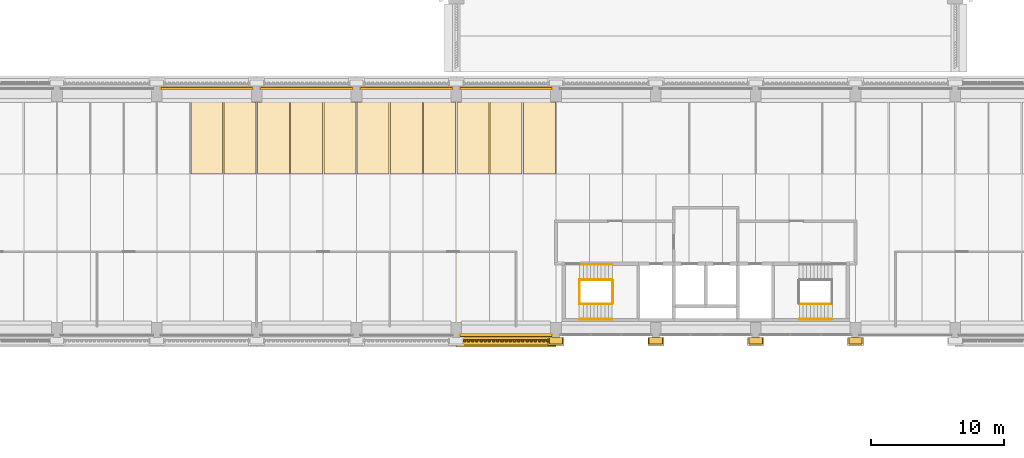
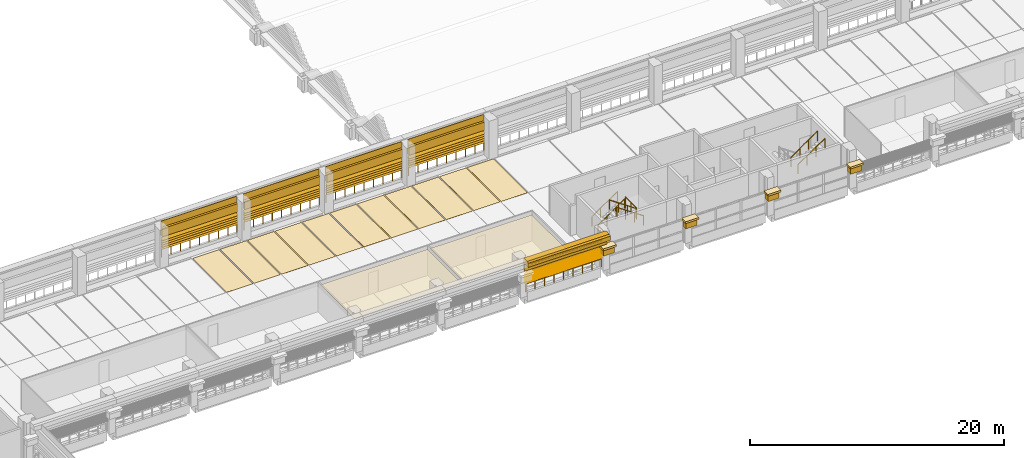
# One storey, part 44 of 71: 28 coverings, 25 shading devices, 13 railings.
"""IFC4 building model written with IfcOpenShell, lengths in metres."""

from ifc_helpers import new_model, si_unit, direction, frame, origin, origin_2d, place, context, subcontext, project, spatial, polyline, circle, outline, extrude, material, layer, layer_set, type_object, element, save


model = new_model("IFC4")

# Units and contexts
model_context = context("Model", 3, precision=1e-05, world=origin(), true_north=direction((0.0, 1.0)))
body_context = subcontext(model_context, "Body", "Model", "MODEL_VIEW")
ifc_project = project(units=[si_unit("LENGTHUNIT", "METRE"), si_unit("AREAUNIT", "SQUARE_METRE"), si_unit("VOLUMEUNIT", "CUBIC_METRE"), si_unit("PLANEANGLEUNIT", "RADIAN"), si_unit("MASSUNIT", "GRAM", prefix="KILO")], contexts=[model_context])

# Site, building, storey
site_placement = place(None, origin())
site = spatial("IfcSite", under=ifc_project, at=site_placement, CompositionType="ELEMENT")
building_placement = place(site_placement, origin())
building = spatial("IfcBuilding", under=site, at=building_placement, Name="Cour d'Honneur Mobility Palace", CompositionType="ELEMENT")
storey_placement = place(building_placement, frame((0.0, 0.0, 15.60009765625)))
storey = spatial("IfcBuildingStorey", under=building, at=storey_placement, Name="L04", CompositionType="ELEMENT", Elevation=15.60009765625)

# Railings
ifc_material_1 = material(Name="Painted steel", Category="steel")
railing_type_1 = type_object("IfcRailingType", Name="Balustrade", PredefinedType="BALUSTRADE", material=ifc_material_1)
railing_1_placement = place(storey_placement, frame((62.699951171875, 44.449951171875, 0.2998046875)))
element("IfcRailing", 1, at=railing_1_placement, inside=storey, type_object=railing_type_1, Name="Balustrade BAL-210", PredefinedType="BALUSTRADE", context=body_context, shape_type="SweptSolid", body=[
    extrude(circle(Radius=0.02392578125, at=origin_2d()), frame((0.0, 0.0, 0.77587890625), z_axis=(1.0, 0.0, 0.0), x_axis=(0.0, 1.0, 0.0)), (0.0, 0.0, 1.0), 6.900146484375),
    extrude(circle(Radius=0.02099609375, at=origin_2d()), origin(), (0.0, 0.0, 1.0), 0.751953125),
    extrude(circle(Radius=0.02099609375, at=origin_2d()), frame((0.862548828125, 0.0, 0.0)), (0.0, 0.0, 1.0), 0.751953125),
    extrude(circle(Radius=0.02099609375, at=origin_2d()), frame((1.72509765625, 0.0, 0.0)), (0.0, 0.0, 1.0), 0.751953125),
    extrude(circle(Radius=0.02099609375, at=origin_2d()), frame((2.587646484375, 0.0, 0.0)), (0.0, 0.0, 1.0), 0.751953125),
    extrude(circle(Radius=0.02099609375, at=origin_2d()), frame((3.4501953125, 0.0, 0.0)), (0.0, 0.0, 1.0), 0.751953125),
    extrude(circle(Radius=0.02099609375, at=origin_2d()), frame((4.3125, 0.0, 0.0)), (0.0, 0.0, 1.0), 0.751953125),
    extrude(circle(Radius=0.02099609375, at=origin_2d()), frame((5.175048828125, 0.0, 0.0)), (0.0, 0.0, 1.0), 0.751953125),
    extrude(circle(Radius=0.02099609375, at=origin_2d()), frame((6.03759765625, 0.0, 0.0)), (0.0, 0.0, 1.0), 0.751953125),
    extrude(circle(Radius=0.02099609375, at=origin_2d()), frame((6.900146484375, 0.0, 0.0)), (0.0, 0.0, 1.0), 0.751953125),
])
for number, where, name in (
    (2, (69.60009765625, 62.949951171875, 0.2998046875), "Balustrade BAL-245"),
    (3, (62.10009765625, 62.949951171875, 0.2998046875), "Balustrade BAL-246"),
    (4, (54.60009765625, 62.949951171875, 0.2998046875), "Balustrade BAL-247"),
    (5, (47.10009765625, 62.949951171875, 0.2998046875), "Balustrade BAL-248"),
):
    element("IfcRailing", number, at=place(storey_placement, frame(where)), inside=storey, type_object=railing_type_1, Name=name, PredefinedType="BALUSTRADE", context=body_context, shape_type="SweptSolid", body=[
        extrude(circle(Radius=0.02392578125, at=origin_2d()), frame((0.0, 0.0, 0.77587890625), z_axis=(-1.0, 0.0, 0.0), x_axis=(0.0, -1.0, 0.0)), (0.0, 0.0, 1.0), 6.900146484375),
        extrude(circle(Radius=0.02099609375, at=origin_2d()), origin(), (0.0, 0.0, 1.0), 0.751953125),
        extrude(circle(Radius=0.02099609375, at=origin_2d()), frame((-0.862548828125, 0.0, 0.0)), (0.0, 0.0, 1.0), 0.751953125),
        extrude(circle(Radius=0.02099609375, at=origin_2d()), frame((-1.72509765625, 0.0, 0.0)), (0.0, 0.0, 1.0), 0.751953125),
        extrude(circle(Radius=0.02099609375, at=origin_2d()), frame((-2.587646484375, 0.0, 0.0)), (0.0, 0.0, 1.0), 0.751953125),
        extrude(circle(Radius=0.02099609375, at=origin_2d()), frame((-3.4501953125, 0.0, 0.0)), (0.0, 0.0, 1.0), 0.751953125),
        extrude(circle(Radius=0.02099609375, at=origin_2d()), frame((-4.3125, 0.0, 0.0)), (0.0, 0.0, 1.0), 0.751953125),
        extrude(circle(Radius=0.02099609375, at=origin_2d()), frame((-5.175048828125, 0.0, 0.0)), (0.0, 0.0, 1.0), 0.751953125),
        extrude(circle(Radius=0.02099609375, at=origin_2d()), frame((-6.03759765625, 0.0, 0.0)), (0.0, 0.0, 1.0), 0.751953125),
        extrude(circle(Radius=0.02099609375, at=origin_2d()), frame((-6.900146484375, 0.0, 0.0)), (0.0, 0.0, 1.0), 0.751953125),
    ])

# Coverings
ifc_material_2 = material(Name="Cast limestone", Category="masonry")
ifc_layer_1 = layer(ifc_material_2, 0.14990234375)
ifc_layer_set_1 = layer_set([ifc_layer_1], Name="Cast limestone")
covering_type_1 = type_object("IfcCoveringType", Name="Dentil course", PredefinedType="CLADDING", material=ifc_layer_set_1)
covering_1_placement = place(storey_placement, frame((0.0, 0.0, 3.14990234375)))
element("IfcCovering", 6, at=covering_1_placement, inside=storey, type_object=covering_type_1, Name="Dentil course DC-76", PredefinedType="CLADDING", context=body_context, shape_type="SweptSolid", body=[
    extrude(outline(polyline([(62.85009765625, 44.10009765625), (69.449951171875, 44.10009765625), (69.449951171875, 44.070068359375), (69.449951171875, 44.070068359375), (69.371337890625, 44.070068359375), (69.371337890625, 43.949951171875), (69.21435546875, 43.949951171875), (69.21435546875, 44.070068359375), (69.1357421875, 44.070068359375), (69.1357421875, 44.070068359375), (69.05712890625, 44.070068359375), (69.05712890625, 43.949951171875), (68.89990234375, 43.949951171875), (68.89990234375, 44.070068359375), (68.821533203125, 44.070068359375), (68.821533203125, 44.070068359375), (68.742919921875, 44.070068359375), (68.742919921875, 43.949951171875), (68.585693359375, 43.949951171875), (68.585693359375, 44.070068359375), (68.507080078125, 44.070068359375), (68.507080078125, 44.070068359375), (68.428466796875, 44.070068359375), (68.428466796875, 43.949951171875), (68.271484375, 43.949951171875), (68.271484375, 44.070068359375), (68.19287109375, 44.070068359375), (68.19287109375, 44.070068359375), (68.1142578125, 44.070068359375), (68.1142578125, 43.949951171875), (67.95703125, 43.949951171875), (67.95703125, 44.070068359375), (67.878662109375, 44.070068359375), (67.878662109375, 44.070068359375), (67.800048828125, 44.070068359375), (67.800048828125, 43.949951171875), (67.642822265625, 43.949951171875), (67.642822265625, 44.070068359375), (67.564208984375, 44.070068359375), (67.564208984375, 44.070068359375), (67.485595703125, 44.070068359375), (67.485595703125, 43.949951171875), (67.32861328125, 43.949951171875), (67.32861328125, 44.070068359375), (67.25, 44.070068359375), (67.25, 44.070068359375), (67.17138671875, 44.070068359375), (67.17138671875, 43.949951171875), (67.014404296875, 43.949951171875), (67.014404296875, 44.070068359375), (66.935791015625, 44.070068359375), (66.935791015625, 44.070068359375), (66.857177734375, 44.070068359375), (66.857177734375, 43.949951171875), (66.699951171875, 43.949951171875), (66.699951171875, 44.070068359375), (66.621337890625, 44.070068359375), (66.621337890625, 44.070068359375), (66.54296875, 44.070068359375), (66.54296875, 43.949951171875), (66.3857421875, 43.949951171875), (66.3857421875, 44.070068359375), (66.30712890625, 44.070068359375), (66.30712890625, 44.070068359375), (66.228515625, 44.070068359375), (66.228515625, 43.949951171875), (66.071533203125, 43.949951171875), (66.071533203125, 44.070068359375), (65.992919921875, 44.070068359375), (65.992919921875, 44.070068359375), (65.914306640625, 44.070068359375), (65.914306640625, 43.949951171875), (65.757080078125, 43.949951171875), (65.757080078125, 44.070068359375), (65.678466796875, 44.070068359375), (65.678466796875, 44.070068359375), (65.60009765625, 44.070068359375), (65.60009765625, 43.949951171875), (65.44287109375, 43.949951171875), (65.44287109375, 44.070068359375), (65.3642578125, 44.070068359375), (65.3642578125, 44.070068359375), (65.28564453125, 44.070068359375), (65.28564453125, 43.949951171875), (65.128662109375, 43.949951171875), (65.128662109375, 44.070068359375), (65.050048828125, 44.070068359375), (65.050048828125, 44.070068359375), (64.971435546875, 44.070068359375), (64.971435546875, 43.949951171875), (64.814208984375, 43.949951171875), (64.814208984375, 44.070068359375), (64.735595703125, 44.070068359375), (64.735595703125, 44.070068359375), (64.6572265625, 44.070068359375), (64.6572265625, 43.949951171875), (64.5, 43.949951171875), (64.5, 44.070068359375), (64.42138671875, 44.070068359375), (64.42138671875, 44.070068359375), (64.3427734375, 44.070068359375), (64.3427734375, 43.949951171875), (64.185791015625, 43.949951171875), (64.185791015625, 44.070068359375), (64.107177734375, 44.070068359375), (64.107177734375, 44.070068359375), (64.028564453125, 44.070068359375), (64.028564453125, 43.949951171875), (63.871337890625, 43.949951171875), (63.871337890625, 44.070068359375), (63.79296875, 44.070068359375), (63.79296875, 44.070068359375), (63.71435546875, 44.070068359375), (63.71435546875, 43.949951171875), (63.55712890625, 43.949951171875), (63.55712890625, 44.070068359375), (63.478515625, 44.070068359375), (63.478515625, 44.070068359375), (63.39990234375, 44.070068359375), (63.39990234375, 43.949951171875), (63.242919921875, 43.949951171875), (63.242919921875, 44.070068359375), (63.164306640625, 44.070068359375), (63.164306640625, 44.070068359375), (63.085693359375, 44.070068359375), (63.085693359375, 43.949951171875), (62.928466796875, 43.949951171875), (62.928466796875, 44.070068359375), (62.85009765625, 44.070068359375), (62.85009765625, 44.10009765625)])), origin(), (0.0, 0.0, 1.0), 0.14990234375),
])
ifc_material_3 = material(Name="Cast limestone", Category="masonry")
ifc_layer_2 = layer(ifc_material_3, 0.699951171875)
ifc_layer_set_2 = layer_set([ifc_layer_2], Name="Cast limestone")
covering_type_2 = type_object("IfcCoveringType", Name="Entablature", PredefinedType="CLADDING", material=ifc_layer_set_2)
covering_2_placement = place(storey_placement, frame((62.39990234375, 44.25, 2.599853515625), z_axis=(-1.0, 0.0, 0.0), x_axis=(0.0, -1.0, 0.0)))
element("IfcCovering", 7, at=covering_2_placement, inside=storey, type_object=covering_type_2, Name="Entablature EN-76", PredefinedType="CLADDING", context=body_context, shape_type="SweptSolid", body=[
    extrude(outline(polyline([(0.0, 0.0), (0.14990234375, 0.0), (0.14990234375, 0.699951171875), (0.699951171875, 0.699951171875), (0.699951171875, 1.10009765625), (0.550048828125, 1.199951171875), (0.0, 1.199951171875), (0.0, 0.0)])), origin(), (0.0, 0.0, -1.0), 7.5),
])

# Railings
ifc_material_4 = material(Name="Painted steel", Category="steel")
railing_type_2 = type_object("IfcRailingType", Name="Guardrail 1100", PredefinedType="GUARDRAIL", material=ifc_material_4)
for number, where, name in (
    (8, (71.655029296875, 46.824951171875, 0.0), "Guard ST-CC1"),
    (9, (74.1650390625, 46.824951171875, 1.849853515625), "Landing guard ST-CC1"),
):
    element("IfcRailing", number, at=place(storey_placement, frame(where)), inside=storey, type_object=railing_type_2, Name=name, PredefinedType="GUARDRAIL", context=body_context, shape_type="SweptSolid", body=[
        extrude(circle(Radius=0.02490234375, at=origin_2d()), frame((0.0, 0.0, 1.0751953125), z_axis=(0.0, 1.0, 0.0), x_axis=(-1.0, 0.0, 0.0)), (0.0, 0.0, 1.0), 1.72509765625),
        extrude(circle(Radius=0.02099609375, at=origin_2d()), origin(), (0.0, 0.0, 1.0), 1.050048828125),
        extrude(circle(Radius=0.02099609375, at=origin_2d()), frame((0.0, 0.862548828125, 0.0)), (0.0, 0.0, 1.0), 1.050048828125),
        extrude(circle(Radius=0.02099609375, at=origin_2d()), frame((0.0, 1.72509765625, 0.0)), (0.0, 0.0, 1.0), 1.050048828125),
    ])
ifc_material_5 = material(Name="Stainless steel", Category="steel")
railing_type_3 = type_object("IfcRailingType", Name="Handrail round 50", PredefinedType="HANDRAIL", material=ifc_material_5)
railing_2_placement = place(storey_placement, frame((71.77490234375, 49.75, 0.25341796875)))
element("IfcRailing", 10, at=railing_2_placement, inside=storey, type_object=railing_type_3, Name="Handrail ST-CC1", PredefinedType="HANDRAIL", context=body_context, shape_type="SweptSolid", body=[
    extrude(circle(Radius=0.02490234375, at=origin_2d()), frame((0.0, 0.0, 0.89501953125), z_axis=(0.824948791859, 0.0, 0.565207475898), x_axis=(0.0, 1.0, 0.0)), (0.0, 0.0, 1.0), 2.824462890625),
    extrude(circle(Radius=0.02099609375, at=origin_2d()), origin(), (0.0, 0.0, 1.0), 0.869873046875),
    extrude(circle(Radius=0.02099609375, at=origin_2d()), frame((0.776611328125, 0.0, 0.5322265625)), (0.0, 0.0, 1.0), 0.869873046875),
    extrude(circle(Radius=0.02099609375, at=origin_2d()), frame((1.553466796875, 0.0, 1.064208984375)), (0.0, 0.0, 1.0), 0.869873046875),
    extrude(circle(Radius=0.02099609375, at=origin_2d()), frame((2.330078125, 0.0, 1.596435546875)), (0.0, 0.0, 1.0), 0.869873046875),
])
railing_3_placement = place(storey_placement, frame((71.675048828125, 48.60009765625, 0.184814453125)))
element("IfcRailing", 11, at=railing_3_placement, inside=storey, type_object=railing_type_3, Name="Handrail ST-CC1", PredefinedType="HANDRAIL", context=body_context, shape_type="SweptSolid", body=[
    extrude(circle(Radius=0.02490234375, at=origin_2d()), frame((0.0, 0.0, 0.89501953125), z_axis=(0.8249187745, 0.0, 0.56525128525), x_axis=(0.0, 1.0, 0.0)), (0.0, 0.0, 1.0), 2.945556640625),
    extrude(circle(Radius=0.02099609375, at=origin_2d()), origin(), (0.0, 0.0, 1.0), 0.869873046875),
    extrude(circle(Radius=0.02099609375, at=origin_2d()), frame((0.81005859375, 0.0, 0.554931640625)), (0.0, 0.0, 1.0), 0.869873046875),
    extrude(circle(Radius=0.02099609375, at=origin_2d()), frame((1.619873046875, 0.0, 1.110107421875)), (0.0, 0.0, 1.0), 0.869873046875),
    extrude(circle(Radius=0.02099609375, at=origin_2d()), frame((2.429931640625, 0.0, 1.6650390625)), (0.0, 0.0, 1.0), 0.869873046875),
])
for number, where, name in (
    (12, (74.10498046875, 46.77490234375, 2.034912109375), "Handrail ST-CC1"),
    (13, (74.10498046875, 45.625, 2.034912109375), "Handrail ST-CC1"),
):
    element("IfcRailing", number, at=place(storey_placement, frame(where)), inside=storey, type_object=railing_type_3, Name=name, PredefinedType="HANDRAIL", context=body_context, shape_type="SweptSolid", body=[
        extrude(circle(Radius=0.02490234375, at=origin_2d()), frame((0.0, 0.0, 0.89501953125), z_axis=(-0.8249187745, 0.0, 0.56525128525), x_axis=(0.0, -1.0, 0.0)), (0.0, 0.0, 1.0), 2.945556640625),
        extrude(circle(Radius=0.02099609375, at=origin_2d()), origin(), (0.0, 0.0, 1.0), 0.869873046875),
        extrude(circle(Radius=0.02099609375, at=origin_2d()), frame((-0.81005859375, 0.0, 0.554931640625)), (0.0, 0.0, 1.0), 0.869873046875),
        extrude(circle(Radius=0.02099609375, at=origin_2d()), frame((-1.619873046875, 0.0, 1.110107421875)), (0.0, 0.0, 1.0), 0.869873046875),
        extrude(circle(Radius=0.02099609375, at=origin_2d()), frame((-2.429931640625, 0.0, 1.6650390625)), (0.0, 0.0, 1.0), 0.869873046875),
    ])
for number, where, name in (
    (14, (88.195068359375, 46.77490234375, 2.034912109375), "Handrail ST-CC2"),
    (15, (88.195068359375, 45.625, 2.034912109375), "Handrail ST-CC2"),
):
    element("IfcRailing", number, at=place(storey_placement, frame(where)), inside=storey, type_object=railing_type_3, Name=name, PredefinedType="HANDRAIL", context=body_context, shape_type="SweptSolid", body=[
        extrude(circle(Radius=0.02490234375, at=origin_2d()), frame((0.0, 0.0, 0.89501953125), z_axis=(0.8249187745, 0.0, 0.56525128525), x_axis=(0.0, 1.0, 0.0)), (0.0, 0.0, 1.0), 2.945556640625),
        extrude(circle(Radius=0.02099609375, at=origin_2d()), origin(), (0.0, 0.0, 1.0), 0.869873046875),
        extrude(circle(Radius=0.02099609375, at=origin_2d()), frame((0.81005859375, 0.0, 0.554931640625)), (0.0, 0.0, 1.0), 0.869873046875),
        extrude(circle(Radius=0.02099609375, at=origin_2d()), frame((1.619873046875, 0.0, 1.110107421875)), (0.0, 0.0, 1.0), 0.869873046875),
        extrude(circle(Radius=0.02099609375, at=origin_2d()), frame((2.429931640625, 0.0, 1.6650390625)), (0.0, 0.0, 1.0), 0.869873046875),
    ])

# Coverings
ifc_material_6 = material(Name="Parking marking paint")
ifc_layer_3 = layer(ifc_material_6, 0.0048828125)
ifc_layer_set_3 = layer_set([ifc_layer_3], Name="Parking marking paint")
covering_type_3 = type_object("IfcCoveringType", Name="Parking bay marking", PredefinedType="FLOORING", material=ifc_layer_set_3)
covering_3_placement = place(storey_placement, origin())
element("IfcCovering", 16, at=covering_3_placement, inside=storey, type_object=covering_type_3, Name="Parking bay marking L04 3", PredefinedType="FLOORING", context=body_context, shape_type="SweptSolid", body=[
    extrude(outline(polyline([(44.85009765625, 56.550048828125), (42.449951171875, 56.550048828125), (42.449951171875, 61.949951171875), (44.85009765625, 61.949951171875), (44.85009765625, 56.550048828125)])), origin(), (0.0, 0.0, 1.0), 0.0048828125),
])
covering_4_placement = place(storey_placement, origin())
element("IfcCovering", 17, at=covering_4_placement, inside=storey, type_object=covering_type_3, Name="Parking bay marking L04 4", PredefinedType="FLOORING", context=body_context, shape_type="SweptSolid", body=[
    extrude(outline(polyline([(47.35009765625, 56.550048828125), (44.949951171875, 56.550048828125), (44.949951171875, 61.949951171875), (47.35009765625, 61.949951171875), (47.35009765625, 56.550048828125)])), origin(), (0.0, 0.0, 1.0), 0.0048828125),
])
covering_5_placement = place(storey_placement, origin())
element("IfcCovering", 18, at=covering_5_placement, inside=storey, type_object=covering_type_3, Name="Parking bay marking L04 5", PredefinedType="FLOORING", context=body_context, shape_type="SweptSolid", body=[
    extrude(outline(polyline([(49.85009765625, 56.550048828125), (47.449951171875, 56.550048828125), (47.449951171875, 61.949951171875), (49.85009765625, 61.949951171875), (49.85009765625, 56.550048828125)])), origin(), (0.0, 0.0, 1.0), 0.0048828125),
])
covering_6_placement = place(storey_placement, origin())
element("IfcCovering", 19, at=covering_6_placement, inside=storey, type_object=covering_type_3, Name="Parking bay marking L04 6", PredefinedType="FLOORING", context=body_context, shape_type="SweptSolid", body=[
    extrude(outline(polyline([(52.35009765625, 56.550048828125), (49.949951171875, 56.550048828125), (49.949951171875, 61.949951171875), (52.35009765625, 61.949951171875), (52.35009765625, 56.550048828125)])), origin(), (0.0, 0.0, 1.0), 0.0048828125),
])
covering_7_placement = place(storey_placement, origin())
element("IfcCovering", 20, at=covering_7_placement, inside=storey, type_object=covering_type_3, Name="Parking bay marking L04 7", PredefinedType="FLOORING", context=body_context, shape_type="SweptSolid", body=[
    extrude(outline(polyline([(54.85009765625, 56.550048828125), (52.449951171875, 56.550048828125), (52.449951171875, 61.949951171875), (54.85009765625, 61.949951171875), (54.85009765625, 56.550048828125)])), origin(), (0.0, 0.0, 1.0), 0.0048828125),
])
covering_8_placement = place(storey_placement, origin())
element("IfcCovering", 21, at=covering_8_placement, inside=storey, type_object=covering_type_3, Name="Parking bay marking L04 8", PredefinedType="FLOORING", context=body_context, shape_type="SweptSolid", body=[
    extrude(outline(polyline([(57.35009765625, 56.550048828125), (54.949951171875, 56.550048828125), (54.949951171875, 61.949951171875), (57.35009765625, 61.949951171875), (57.35009765625, 56.550048828125)])), origin(), (0.0, 0.0, 1.0), 0.0048828125),
])
covering_9_placement = place(storey_placement, origin())
element("IfcCovering", 22, at=covering_9_placement, inside=storey, type_object=covering_type_3, Name="Parking bay marking L04 9", PredefinedType="FLOORING", context=body_context, shape_type="SweptSolid", body=[
    extrude(outline(polyline([(59.85009765625, 56.550048828125), (57.449951171875, 56.550048828125), (57.449951171875, 61.949951171875), (59.85009765625, 61.949951171875), (59.85009765625, 56.550048828125)])), origin(), (0.0, 0.0, 1.0), 0.0048828125),
])
covering_10_placement = place(storey_placement, origin())
element("IfcCovering", 23, at=covering_10_placement, inside=storey, type_object=covering_type_3, Name="Parking bay marking L04 10", PredefinedType="FLOORING", context=body_context, shape_type="SweptSolid", body=[
    extrude(outline(polyline([(62.35009765625, 56.550048828125), (59.949951171875, 56.550048828125), (59.949951171875, 61.949951171875), (62.35009765625, 61.949951171875), (62.35009765625, 56.550048828125)])), origin(), (0.0, 0.0, 1.0), 0.0048828125),
])
covering_11_placement = place(storey_placement, origin())
element("IfcCovering", 24, at=covering_11_placement, inside=storey, type_object=covering_type_3, Name="Parking bay marking L04 11", PredefinedType="FLOORING", context=body_context, shape_type="SweptSolid", body=[
    extrude(outline(polyline([(64.85009765625, 56.550048828125), (62.449951171875, 56.550048828125), (62.449951171875, 61.949951171875), (64.85009765625, 61.949951171875), (64.85009765625, 56.550048828125)])), origin(), (0.0, 0.0, 1.0), 0.0048828125),
])
covering_12_placement = place(storey_placement, origin())
element("IfcCovering", 25, at=covering_12_placement, inside=storey, type_object=covering_type_3, Name="Parking bay marking L04 13", PredefinedType="FLOORING", context=body_context, shape_type="SweptSolid", body=[
    extrude(outline(polyline([(67.35009765625, 56.550048828125), (64.949951171875, 56.550048828125), (64.949951171875, 61.949951171875), (67.35009765625, 61.949951171875), (67.35009765625, 56.550048828125)])), origin(), (0.0, 0.0, 1.0), 0.0048828125),
])
covering_13_placement = place(storey_placement, origin())
element("IfcCovering", 26, at=covering_13_placement, inside=storey, type_object=covering_type_3, Name="Parking bay marking L04 14", PredefinedType="FLOORING", context=body_context, shape_type="SweptSolid", body=[
    extrude(outline(polyline([(69.85009765625, 56.550048828125), (67.449951171875, 56.550048828125), (67.449951171875, 61.949951171875), (69.85009765625, 61.949951171875), (69.85009765625, 56.550048828125)])), origin(), (0.0, 0.0, 1.0), 0.0048828125),
])
ifc_material_7 = material(Name="Cast limestone", Category="masonry")
ifc_layer_4 = layer(ifc_material_7, 0.1201171875)
ifc_layer_set_4 = layer_set([ifc_layer_4], Name="Cast limestone")
covering_type_4 = type_object("IfcCoveringType", Name="Pilaster capital", PredefinedType="CLADDING", material=ifc_layer_set_4)
covering_14_placement = place(storey_placement, frame((0.0, 0.0, 1.7998046875)))
element("IfcCovering", 27, at=covering_14_placement, inside=storey, type_object=covering_type_4, Name="Pilaster capital PK-33", PredefinedType="CLADDING", context=body_context, shape_type="SweptSolid", body=[
    extrude(outline(polyline([(69.39990234375, 44.25), (70.39990234375, 44.25), (70.39990234375, 43.780029296875), (69.39990234375, 43.780029296875), (69.39990234375, 44.25)])), origin(), (0.0, 0.0, 1.0), 0.6201171875),
])
covering_15_placement = place(storey_placement, frame((0.0, 0.0, 2.419921875)))
element("IfcCovering", 28, at=covering_15_placement, inside=storey, type_object=covering_type_4, Name="Pilaster capital PK-34", PredefinedType="CLADDING", context=body_context, shape_type="SweptSolid", body=[
    extrude(outline(polyline([(69.300048828125, 44.25), (70.5, 44.25), (70.5, 43.64990234375), (69.300048828125, 43.64990234375), (69.300048828125, 44.25)])), origin(), (0.0, 0.0, 1.0), 0.179931640625),
])
covering_16_placement = place(storey_placement, frame((0.0, 0.0, 1.7998046875)))
element("IfcCovering", 29, at=covering_16_placement, inside=storey, type_object=covering_type_4, Name="Pilaster capital PK-35", PredefinedType="CLADDING", context=body_context, shape_type="SweptSolid", body=[
    extrude(outline(polyline([(76.89990234375, 44.25), (77.89990234375, 44.25), (77.89990234375, 43.780029296875), (76.89990234375, 43.780029296875), (76.89990234375, 44.25)])), origin(), (0.0, 0.0, 1.0), 0.6201171875),
])
covering_17_placement = place(storey_placement, frame((0.0, 0.0, 2.419921875)))
element("IfcCovering", 30, at=covering_17_placement, inside=storey, type_object=covering_type_4, Name="Pilaster capital PK-36", PredefinedType="CLADDING", context=body_context, shape_type="SweptSolid", body=[
    extrude(outline(polyline([(76.800048828125, 44.25), (78.0, 44.25), (78.0, 43.64990234375), (76.800048828125, 43.64990234375), (76.800048828125, 44.25)])), origin(), (0.0, 0.0, 1.0), 0.179931640625),
])
covering_18_placement = place(storey_placement, frame((0.0, 0.0, 1.7998046875)))
element("IfcCovering", 31, at=covering_18_placement, inside=storey, type_object=covering_type_4, Name="Pilaster capital PK-37", PredefinedType="CLADDING", context=body_context, shape_type="SweptSolid", body=[
    extrude(outline(polyline([(84.39990234375, 44.25), (85.39990234375, 44.25), (85.39990234375, 43.780029296875), (84.39990234375, 43.780029296875), (84.39990234375, 44.25)])), origin(), (0.0, 0.0, 1.0), 0.6201171875),
])
covering_19_placement = place(storey_placement, frame((0.0, 0.0, 2.419921875)))
element("IfcCovering", 32, at=covering_19_placement, inside=storey, type_object=covering_type_4, Name="Pilaster capital PK-38", PredefinedType="CLADDING", context=body_context, shape_type="SweptSolid", body=[
    extrude(outline(polyline([(84.300048828125, 44.25), (85.5, 44.25), (85.5, 43.64990234375), (84.300048828125, 43.64990234375), (84.300048828125, 44.25)])), origin(), (0.0, 0.0, 1.0), 0.179931640625),
])
covering_20_placement = place(storey_placement, frame((0.0, 0.0, 1.7998046875)))
element("IfcCovering", 33, at=covering_20_placement, inside=storey, type_object=covering_type_4, Name="Pilaster capital PK-39", PredefinedType="CLADDING", context=body_context, shape_type="SweptSolid", body=[
    extrude(outline(polyline([(91.89990234375, 44.25), (92.89990234375, 44.25), (92.89990234375, 43.780029296875), (91.89990234375, 43.780029296875), (91.89990234375, 44.25)])), origin(), (0.0, 0.0, 1.0), 0.6201171875),
])
covering_21_placement = place(storey_placement, frame((0.0, 0.0, 2.419921875)))
element("IfcCovering", 34, at=covering_21_placement, inside=storey, type_object=covering_type_4, Name="Pilaster capital PK-40", PredefinedType="CLADDING", context=body_context, shape_type="SweptSolid", body=[
    extrude(outline(polyline([(91.800048828125, 44.25), (93.0, 44.25), (93.0, 43.64990234375), (91.800048828125, 43.64990234375), (91.800048828125, 44.25)])), origin(), (0.0, 0.0, 1.0), 0.179931640625),
])
ifc_material_8 = material(Name="Cast limestone", Category="masonry")
ifc_layer_5 = layer(ifc_material_8, 0.25)
ifc_layer_set_5 = layer_set([ifc_layer_5], Name="Cast limestone")
covering_type_5 = type_object("IfcCoveringType", Name="Spandrel cladding", PredefinedType="CLADDING", material=ifc_layer_set_5)
for number, where, z_axis, x_axis, name in (
    (35, (62.699951171875, 44.550048828125, 2.2998046875), (-1.0, 0.0, 0.0), (0.0, -1.0, 0.0), "Spandrel cladding SK-287"),
    (36, (69.60009765625, 62.85009765625, 2.2998046875), (1.0, 0.0, 0.0), (0.0, 1.0, 0.0), "Spandrel cladding SK-324"),
    (37, (62.10009765625, 62.85009765625, 2.2998046875), (1.0, 0.0, 0.0), (0.0, 1.0, 0.0), "Spandrel cladding SK-325"),
    (38, (54.60009765625, 62.85009765625, 2.2998046875), (1.0, 0.0, 0.0), (0.0, 1.0, 0.0), "Spandrel cladding SK-326"),
    (39, (47.10009765625, 62.85009765625, 2.2998046875), (1.0, 0.0, 0.0), (0.0, 1.0, 0.0), "Spandrel cladding SK-327"),
):
    element("IfcCovering", number, at=place(storey_placement, frame(where, z_axis=z_axis, x_axis=x_axis)), inside=storey, type_object=covering_type_5, Name=name, PredefinedType="CLADDING", context=body_context, shape_type="SweptSolid", body=[
        extrude(outline(polyline([(0.0, 0.0), (0.25, 0.0), (0.25, 1.400146484375), (0.199951171875, 1.400146484375), (0.199951171875, 0.800048828125), (0.0, 0.800048828125), (0.0, 0.0)])), origin(), (0.0, 0.0, -1.0), 6.89990234375),
    ])
ifc_material_9 = material(Name="Suspended ceiling")
ifc_layer_6 = layer(ifc_material_9, 0.030029296875)
ifc_layer_set_6 = layer_set([ifc_layer_6], Name="Suspended ceiling")
covering_type_6 = type_object("IfcCoveringType", Name="Suspended ceiling", PredefinedType="CEILING", material=ifc_layer_set_6)
covering_22_placement = place(storey_placement, frame((0.0, 0.0, 2.5498046875)))
element("IfcCovering", 40, at=covering_22_placement, inside=storey, type_object=covering_type_6, Name="Ceiling Mobility Training Classroom 1", PredefinedType="CEILING", context=body_context, shape_type="SweptSolid", body=[
    extrude(outline(polyline([(57.280029296875, 45.1201171875), (47.52001953125, 45.1201171875), (47.52001953125, 50.580078125), (57.280029296875, 50.580078125), (57.280029296875, 45.1201171875)])), origin(), (0.0, 0.0, 1.0), 0.030029296875),
])
covering_23_placement = place(storey_placement, frame((0.0, 0.0, 2.5498046875)))
element("IfcCovering", 41, at=covering_23_placement, inside=storey, type_object=covering_type_6, Name="Ceiling Mobility Training Classroom 2", PredefinedType="CEILING", context=body_context, shape_type="SweptSolid", body=[
    extrude(outline(polyline([(66.780029296875, 45.1201171875), (57.52001953125, 45.1201171875), (57.52001953125, 50.580078125), (66.780029296875, 50.580078125), (66.780029296875, 45.1201171875)])), origin(), (0.0, 0.0, 1.0), 0.030029296875),
])

# Shading devices
ifc_material_10 = material(Name="Terracotta", Category="masonry")
ifc_layer_7 = layer(ifc_material_10, 0.02490234375)
ifc_layer_set_7 = layer_set([ifc_layer_7], Name="Terracotta")
shading_device_type = type_object("IfcShadingDeviceType", Name="Terracotta louvre blade", PredefinedType="JALOUSIE", material=ifc_layer_set_7)
for number, where, z_axis, x_axis, name in (
    (42, (62.699951171875, 44.55615234375, 1.099853515625), (0.0, 0.707106781187, 0.707106781187), (1.0, 0.0, 0.0), "Louvre blade LV-1 S2.6 L04 1"),
    (43, (62.699951171875, 44.55615234375, 1.31201171875), (0.0, 0.707106781187, 0.707106781187), (1.0, 0.0, 0.0), "Louvre blade LV-1 S2.6 L04 2"),
    (44, (62.699951171875, 44.55615234375, 1.524169921875), (0.0, 0.707106781187, 0.707106781187), (1.0, 0.0, 0.0), "Louvre blade LV-1 S2.6 L04 3"),
    (45, (62.699951171875, 44.55615234375, 1.736328125), (0.0, 0.707106781187, 0.707106781187), (1.0, 0.0, 0.0), "Louvre blade LV-1 S2.6 L04 4"),
    (46, (62.699951171875, 44.55615234375, 1.948486328125), (0.0, 0.707106781187, 0.707106781187), (1.0, 0.0, 0.0), "Louvre blade LV-1 S2.6 L04 5"),
    (47, (69.60009765625, 62.843994140625, 1.099853515625), (0.0, -0.707106781187, 0.707106781187), (-1.0, 0.0, 0.0), "Louvre blade LV-1 N8.10 L04 1"),
    (48, (69.60009765625, 62.843994140625, 1.31201171875), (0.0, -0.707106781187, 0.707106781187), (-1.0, 0.0, 0.0), "Louvre blade LV-1 N8.10 L04 2"),
    (49, (69.60009765625, 62.843994140625, 1.524169921875), (0.0, -0.707106781187, 0.707106781187), (-1.0, 0.0, 0.0), "Louvre blade LV-1 N8.10 L04 3"),
    (50, (69.60009765625, 62.843994140625, 1.736328125), (0.0, -0.707106781187, 0.707106781187), (-1.0, 0.0, 0.0), "Louvre blade LV-1 N8.10 L04 4"),
    (51, (69.60009765625, 62.843994140625, 1.948486328125), (0.0, -0.707106781187, 0.707106781187), (-1.0, 0.0, 0.0), "Louvre blade LV-1 N8.10 L04 5"),
    (52, (62.10009765625, 62.843994140625, 1.099853515625), (0.0, -0.707106781187, 0.707106781187), (-1.0, 0.0, 0.0), "Louvre blade LV-1 N8.11 L04 1"),
    (53, (62.10009765625, 62.843994140625, 1.31201171875), (0.0, -0.707106781187, 0.707106781187), (-1.0, 0.0, 0.0), "Louvre blade LV-1 N8.11 L04 2"),
    (54, (62.10009765625, 62.843994140625, 1.524169921875), (0.0, -0.707106781187, 0.707106781187), (-1.0, 0.0, 0.0), "Louvre blade LV-1 N8.11 L04 3"),
    (55, (62.10009765625, 62.843994140625, 1.736328125), (0.0, -0.707106781187, 0.707106781187), (-1.0, 0.0, 0.0), "Louvre blade LV-1 N8.11 L04 4"),
    (56, (62.10009765625, 62.843994140625, 1.948486328125), (0.0, -0.707106781187, 0.707106781187), (-1.0, 0.0, 0.0), "Louvre blade LV-1 N8.11 L04 5"),
    (57, (54.60009765625, 62.843994140625, 1.099853515625), (0.0, -0.707106781187, 0.707106781187), (-1.0, 0.0, 0.0), "Louvre blade LV-1 N8.12 L04 1"),
    (58, (54.60009765625, 62.843994140625, 1.31201171875), (0.0, -0.707106781187, 0.707106781187), (-1.0, 0.0, 0.0), "Louvre blade LV-1 N8.12 L04 2"),
    (59, (54.60009765625, 62.843994140625, 1.524169921875), (0.0, -0.707106781187, 0.707106781187), (-1.0, 0.0, 0.0), "Louvre blade LV-1 N8.12 L04 3"),
    (60, (54.60009765625, 62.843994140625, 1.736328125), (0.0, -0.707106781187, 0.707106781187), (-1.0, 0.0, 0.0), "Louvre blade LV-1 N8.12 L04 4"),
    (61, (54.60009765625, 62.843994140625, 1.948486328125), (0.0, -0.707106781187, 0.707106781187), (-1.0, 0.0, 0.0), "Louvre blade LV-1 N8.12 L04 5"),
    (62, (47.10009765625, 62.843994140625, 1.099853515625), (0.0, -0.707106781187, 0.707106781187), (-1.0, 0.0, 0.0), "Louvre blade LV-1 N8.13 L04 1"),
    (63, (47.10009765625, 62.843994140625, 1.31201171875), (0.0, -0.707106781187, 0.707106781187), (-1.0, 0.0, 0.0), "Louvre blade LV-1 N8.13 L04 2"),
    (64, (47.10009765625, 62.843994140625, 1.524169921875), (0.0, -0.707106781187, 0.707106781187), (-1.0, 0.0, 0.0), "Louvre blade LV-1 N8.13 L04 3"),
    (65, (47.10009765625, 62.843994140625, 1.736328125), (0.0, -0.707106781187, 0.707106781187), (-1.0, 0.0, 0.0), "Louvre blade LV-1 N8.13 L04 4"),
    (66, (47.10009765625, 62.843994140625, 1.948486328125), (0.0, -0.707106781187, 0.707106781187), (-1.0, 0.0, 0.0), "Louvre blade LV-1 N8.13 L04 5"),
):
    element("IfcShadingDevice", number, at=place(storey_placement, frame(where, z_axis=z_axis, x_axis=x_axis)), inside=storey, type_object=shading_device_type, Name=name, PredefinedType="JALOUSIE", context=body_context, shape_type="SweptSolid", body=[
        extrude(outline(polyline([(0.0, 0.0), (6.900146484375, 0.0), (6.900146484375, -0.300037008228081), (0.0, -0.300037008228081), (0.0, 0.0)])), origin(), (0.0, 0.0, -1.0), 0.02490234375),
    ])

save(model, "model.ifc")
